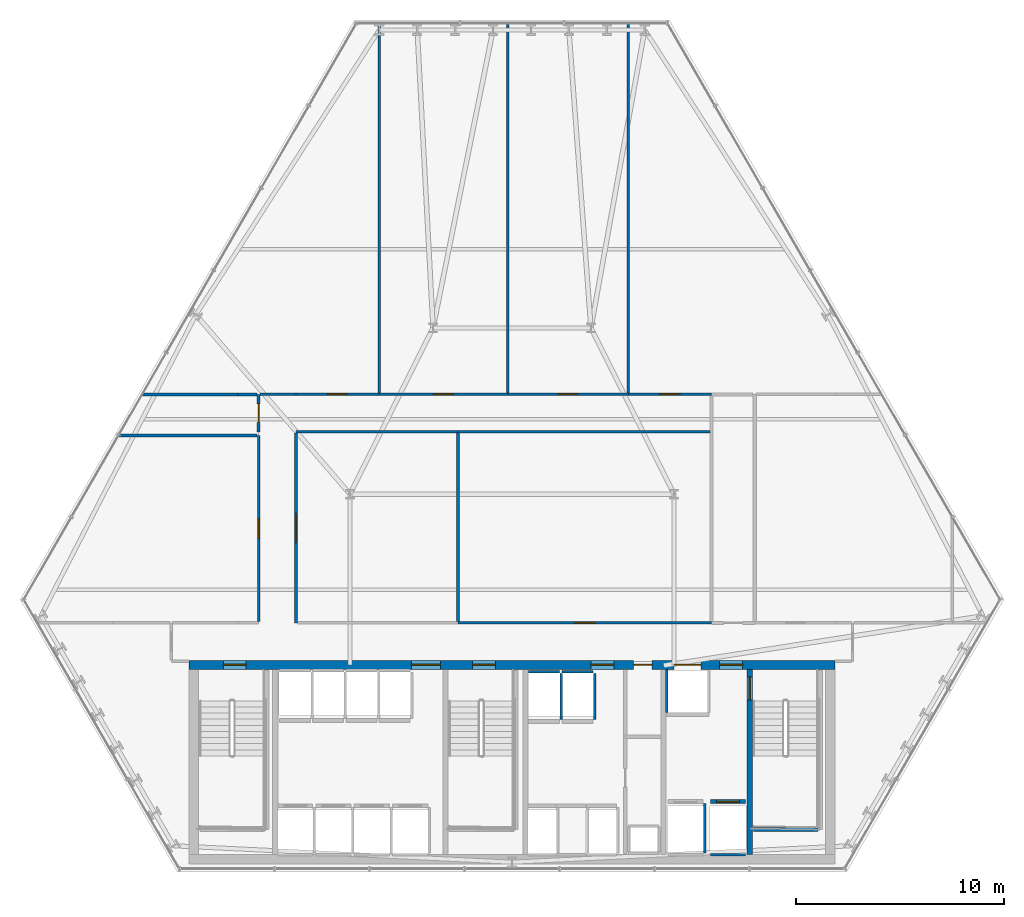
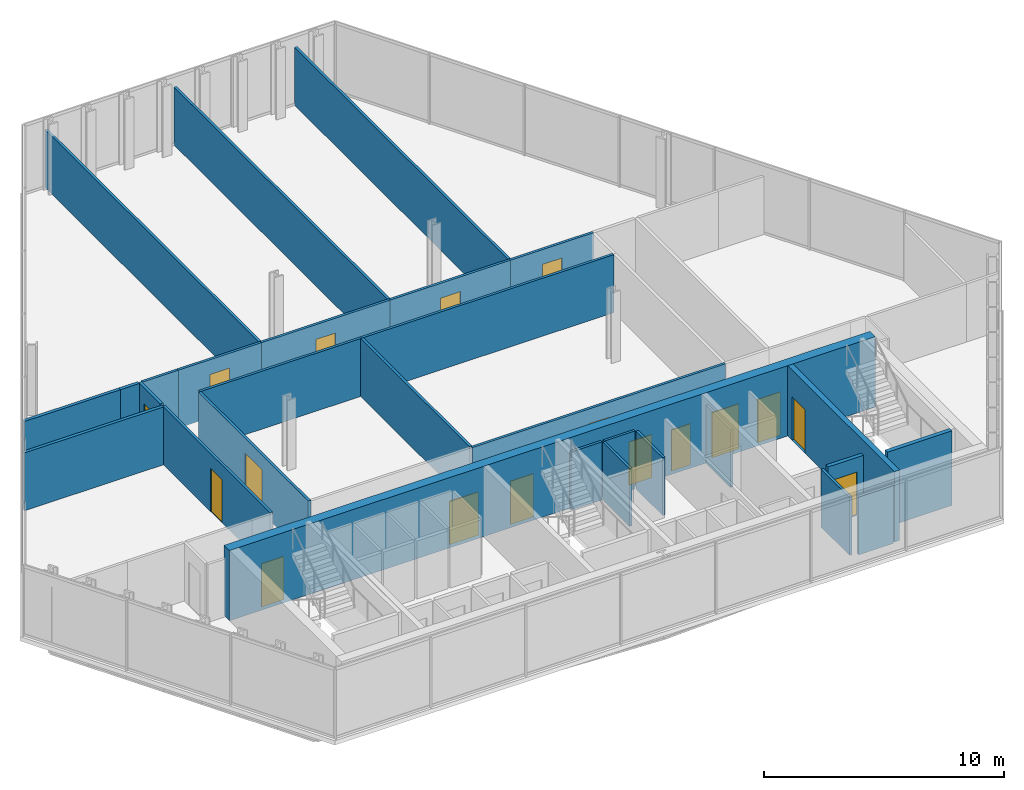
# One storey, part 28 of 32: 29 walls, 17 doors, 17 openings.
"""IFC4 building model written with IfcOpenShell, lengths in metres."""

from ifc_helpers import new_model, si_unit, direction, frame, frame_2d, origin, place, context, subcontext, project, spatial, rectangle, extrude, material, layer, layer_set, type_object, element, fill, save


model = new_model("IFC4")

# Units and contexts
model_context = context("Model", 3, precision=1e-05, world=origin(), true_north=direction((0.0, 1.0)))
body_context = subcontext(model_context, "Body", "Model", "MODEL_VIEW")
ifc_project = project(units=[si_unit("LENGTHUNIT", "METRE"), si_unit("AREAUNIT", "SQUARE_METRE"), si_unit("VOLUMEUNIT", "CUBIC_METRE"), si_unit("PLANEANGLEUNIT", "RADIAN"), si_unit("MASSUNIT", "GRAM", prefix="KILO")], contexts=[model_context])

# Site, building, storey
site_placement = place(None, origin())
site = spatial("IfcSite", under=ifc_project, at=site_placement, CompositionType="ELEMENT")
building_placement = place(site_placement, origin())
building = spatial("IfcBuilding", under=site, at=building_placement, Name="Ndaravel Arena Tower", CompositionType="ELEMENT")
storey_placement = place(building_placement, frame((0.0, 0.0, 74.0)))
storey = spatial("IfcBuildingStorey", under=building, at=storey_placement, Name="L16", CompositionType="ELEMENT", Elevation=74.0)

# Wall, opening, door
ifc_material_1 = material(Name="Concrete C60/75", Category="concrete")
ifc_layer_1 = layer(ifc_material_1, 0.25)
ifc_layer_set_1 = layer_set([ifc_layer_1], Name="Concrete C60/75")
wall_type_1 = type_object("IfcWallType", Name="WALL-CORE-250", PredefinedType="SOLIDWALL", material=ifc_layer_set_1)
wall_1_placement = place(storey_placement, frame((53.449951171875, 5.85009765625, 0.0), z_axis=(0.0, 0.0, 1.0), x_axis=(0.0, 1.0, 0.0)))
wall_1 = element("IfcWall", 1, at=wall_1_placement, inside=storey, type_object=wall_type_1, Name="L16 Core Web Shear Wall 5", PredefinedType="SOLIDWALL", context=body_context, shape_type="SweptSolid", body=[
    extrude(rectangle(XDim=8.89990234375, YDim=0.25, at=frame_2d((4.449951171875, 0.0))), origin(), (0.0, 0.0, 1.0), 3.580078125),
])
opening_1_placement = place(wall_1_placement, frame((7.449951171875, 0.0, 0.0)))
opening_1 = element("IfcOpeningElement", 2, at=opening_1_placement, cuts=wall_1, Name="Opening FD-01", PredefinedType="OPENING", context=body_context, shape_type="SweptSolid", body=[
    extrude(rectangle(XDim=1.10009765625, YDim=2.199951171875, at=frame_2d((0.550048828125, 1.10009765625))), frame((0.0, 0.125, 0.0), z_axis=(0.0, -1.0, 0.0), x_axis=(1.0, 0.0, 0.0)), (0.0, 0.0, 1.0), 0.25),
])
ifc_material_2 = material(Name="Steel S355", Category="steel")
door_type_1 = type_object("IfcDoorType", Name="DT-01-STAIR-1100", OperationType="SINGLE_SWING_LEFT", PredefinedType="DOOR", material=ifc_material_2)
door_1_placement = place(opening_1_placement, origin())
door_1 = element("IfcDoor", 3, at=door_1_placement, inside=storey, type_object=door_type_1, Name="L16 Firefighting Lobby to ST-3 Door", OperationType="SINGLE_SWING_LEFT", OverallHeight=2.199951171875, OverallWidth=1.10009765625, PredefinedType="DOOR", context=body_context, shape_type="SweptSolid", body=[
    extrude(rectangle(XDim=1.10009765625, YDim=2.199951171875, at=frame_2d((0.550048828125, 1.10009765625))), frame((0.0, 0.02490234375, 0.0), z_axis=(0.0, -1.0, 0.0), x_axis=(1.0, 0.0, 0.0)), (0.0, 0.0, 1.0), 0.050048828125),
])
fill(opening_1, door_1)

# Wall, openings, doors
ifc_material_3 = material(Name="Concrete C60/75", Category="concrete")
ifc_layer_2 = layer(ifc_material_3, 0.449951171875)
ifc_layer_set_2 = layer_set([ifc_layer_2], Name="Concrete C60/75")
wall_type_2 = type_object("IfcWallType", Name="WALL-CORE-450", PredefinedType="SOLIDWALL", material=ifc_layer_set_2)
wall_2_placement = place(storey_placement, frame((26.449951171875, 14.97509765625, 0.0), z_axis=(0.0, 0.0, 1.0), x_axis=(1.0, 0.0, 0.0)))
wall_2 = element("IfcWall", 4, at=wall_2_placement, inside=storey, type_object=wall_type_2, Name="L16 Core North Shear Wall", PredefinedType="SOLIDWALL", context=body_context, shape_type="SweptSolid", body=[
    extrude(rectangle(XDim=31.10009765625, YDim=0.449951171875, at=frame_2d((15.550048828125, 0.0))), origin(), (0.0, 0.0, 1.0), 3.580078125),
])
opening_2_placement = place(wall_2_placement, frame((1.64990234375, 0.0, 0.0)))
opening_2 = element("IfcOpeningElement", 5, at=opening_2_placement, cuts=wall_2, Name="Opening FD-01", PredefinedType="OPENING", context=body_context, shape_type="SweptSolid", body=[
    extrude(rectangle(XDim=1.10009765625, YDim=2.199951171875, at=frame_2d((0.550048828125, 1.10009765625))), frame((0.0, 0.22509765625, 0.0), z_axis=(0.0, -1.0, 0.0), x_axis=(1.0, 0.0, 0.0)), (0.0, 0.0, 1.0), 0.449951171875),
])
opening_3_placement = place(wall_2_placement, frame((13.64990234375, 0.0, 0.0)))
opening_3 = element("IfcOpeningElement", 6, at=opening_3_placement, cuts=wall_2, Name="Opening FD-01", PredefinedType="OPENING", context=body_context, shape_type="SweptSolid", body=[
    extrude(rectangle(XDim=1.10009765625, YDim=2.199951171875, at=frame_2d((0.550048828125, 1.10009765625))), frame((0.0, 0.22509765625, 0.0), z_axis=(0.0, -1.0, 0.0), x_axis=(1.0, 0.0, 0.0)), (0.0, 0.0, 1.0), 0.449951171875),
])
opening_4_placement = place(wall_2_placement, frame((25.550048828125, 0.0, 0.0)))
opening_4 = element("IfcOpeningElement", 7, at=opening_4_placement, cuts=wall_2, Name="Opening FD-01", PredefinedType="OPENING", context=body_context, shape_type="SweptSolid", body=[
    extrude(rectangle(XDim=1.10009765625, YDim=2.199951171875, at=frame_2d((0.550048828125, 1.10009765625))), frame((0.0, 0.22509765625, 0.0), z_axis=(0.0, -1.0, 0.0), x_axis=(1.0, 0.0, 0.0)), (0.0, 0.0, 1.0), 0.449951171875),
])
opening_5_placement = place(wall_2_placement, frame((10.699951171875, 0.0, 0.0)))
opening_5 = element("IfcOpeningElement", 8, at=opening_5_placement, cuts=wall_2, Name="Opening ID-02", PredefinedType="OPENING", context=body_context, shape_type="SweptSolid", body=[
    extrude(rectangle(XDim=1.39990234375, YDim=2.199951171875, at=frame_2d((0.699951171875, 1.10009765625))), frame((0.0, 0.22509765625, 0.0), z_axis=(0.0, -1.0, 0.0), x_axis=(1.0, 0.0, 0.0)), (0.0, 0.0, 1.0), 0.449951171875),
])
opening_6_placement = place(wall_2_placement, frame((19.35009765625, 0.0, 0.0)))
opening_6 = element("IfcOpeningElement", 9, at=opening_6_placement, cuts=wall_2, Name="Opening FD-01", PredefinedType="OPENING", context=body_context, shape_type="SweptSolid", body=[
    extrude(rectangle(XDim=1.10009765625, YDim=2.199951171875, at=frame_2d((0.550048828125, 1.10009765625))), frame((0.0, 0.22509765625, 0.0), z_axis=(0.0, -1.0, 0.0), x_axis=(1.0, 0.0, 0.0)), (0.0, 0.0, 1.0), 0.449951171875),
])
opening_7_placement = place(wall_2_placement, frame((21.39990234375, 0.0, 0.0)))
opening_7 = element("IfcOpeningElement", 10, at=opening_7_placement, cuts=wall_2, Name="Opening RD-01", PredefinedType="OPENING", context=body_context, shape_type="SweptSolid", body=[
    extrude(rectangle(XDim=0.89990234375, YDim=2.10009765625, at=frame_2d((0.449951171875, 1.050048828125))), frame((0.0, 0.22509765625, 0.0), z_axis=(0.0, -1.0, 0.0), x_axis=(1.0, 0.0, 0.0)), (0.0, 0.0, 1.0), 0.449951171875),
])
opening_8_placement = place(wall_2_placement, frame((23.35009765625, 0.0, 0.0)))
opening_8 = element("IfcOpeningElement", 11, at=opening_8_placement, cuts=wall_2, Name="Opening LD-02", PredefinedType="OPENING", context=body_context, shape_type="SweptSolid", body=[
    extrude(rectangle(XDim=1.300048828125, YDim=2.300048828125, at=frame_2d((0.64990234375, 1.14990234375))), frame((0.0, 0.22509765625, 0.0), z_axis=(0.0, -1.0, 0.0), x_axis=(1.0, 0.0, 0.0)), (0.0, 0.0, 1.0), 0.449951171875),
])
door_2_placement = place(opening_2_placement, origin())
door_2 = element("IfcDoor", 12, at=door_2_placement, inside=storey, type_object=door_type_1, Name="L16 Exit Stair ST-1 Door", OperationType="SINGLE_SWING_LEFT", OverallHeight=2.199951171875, OverallWidth=1.10009765625, PredefinedType="DOOR", context=body_context, shape_type="SweptSolid", body=[
    extrude(rectangle(XDim=1.10009765625, YDim=2.199951171875, at=frame_2d((0.550048828125, 1.10009765625))), frame((0.0, 0.02490234375, 0.0), z_axis=(0.0, -1.0, 0.0), x_axis=(1.0, 0.0, 0.0)), (0.0, 0.0, 1.0), 0.050048828125),
])
fill(opening_2, door_2)
door_3_placement = place(opening_3_placement, origin())
door_3 = element("IfcDoor", 13, at=door_3_placement, inside=storey, type_object=door_type_1, Name="L16 Exit Stair ST-2 Door", OperationType="SINGLE_SWING_RIGHT", OverallHeight=2.199951171875, OverallWidth=1.10009765625, PredefinedType="DOOR", context=body_context, shape_type="SweptSolid", body=[
    extrude(rectangle(XDim=1.10009765625, YDim=2.199951171875, at=frame_2d((0.550048828125, 1.10009765625))), frame((0.0, 0.02490234375, 0.0), z_axis=(0.0, -1.0, 0.0), x_axis=(1.0, 0.0, 0.0)), (0.0, 0.0, 1.0), 0.050048828125),
])
fill(opening_3, door_3)
door_4_placement = place(opening_4_placement, origin())
door_4 = element("IfcDoor", 14, at=door_4_placement, inside=storey, type_object=door_type_1, Name="L16 Firefighting Lift Lobby Door", OperationType="SINGLE_SWING_RIGHT", OverallHeight=2.199951171875, OverallWidth=1.10009765625, PredefinedType="DOOR", context=body_context, shape_type="SweptSolid", body=[
    extrude(rectangle(XDim=1.10009765625, YDim=2.199951171875, at=frame_2d((0.550048828125, 1.10009765625))), frame((0.0, 0.02490234375, 0.0), z_axis=(0.0, -1.0, 0.0), x_axis=(1.0, 0.0, 0.0)), (0.0, 0.0, 1.0), 0.050048828125),
])
fill(opening_4, door_4)
door_5_placement = place(opening_6_placement, origin())
door_5 = element("IfcDoor", 15, at=door_5_placement, inside=storey, type_object=door_type_1, Name="L16 Express Lift Lobby Entry Door", OperationType="SINGLE_SWING_LEFT", OverallHeight=2.199951171875, OverallWidth=1.10009765625, PredefinedType="DOOR", context=body_context, shape_type="SweptSolid", body=[
    extrude(rectangle(XDim=1.10009765625, YDim=2.199951171875, at=frame_2d((0.550048828125, 1.10009765625))), frame((0.0, 0.02490234375, 0.0), z_axis=(0.0, -1.0, 0.0), x_axis=(1.0, 0.0, 0.0)), (0.0, 0.0, 1.0), 0.050048828125),
])
fill(opening_6, door_5)
ifc_material_4 = material(Name="Timber", Category="wood")
door_type_2 = type_object("IfcDoorType", Name="DT-04-SUITE-1400", OperationType="DOUBLE_DOOR_SINGLE_SWING", PredefinedType="DOOR", material=ifc_material_4)
door_6_placement = place(opening_5_placement, origin())
door_6 = element("IfcDoor", 16, at=door_6_placement, inside=storey, type_object=door_type_2, Name="L16 West Lift Lobby Entry Door", OperationType="DOUBLE_DOOR_SINGLE_SWING", OverallHeight=2.199951171875, OverallWidth=1.39990234375, PredefinedType="DOOR", context=body_context, shape_type="SweptSolid", body=[
    extrude(rectangle(XDim=1.39990234375, YDim=2.199951171875, at=frame_2d((0.699951171875, 1.10009765625))), frame((0.0, 0.02490234375, 0.0), z_axis=(0.0, -1.0, 0.0), x_axis=(1.0, 0.0, 0.0)), (0.0, 0.0, 1.0), 0.050048828125),
])
fill(opening_5, door_6)
ifc_material_5 = material(Name="Steel S355", Category="steel")
door_type_3 = type_object("IfcDoorType", Name="DT-07-SVLIFT-1300", OperationType="DOUBLE_DOOR_SLIDING", PredefinedType="DOOR", material=ifc_material_5)
door_7_placement = place(opening_8_placement, origin())
door_7 = element("IfcDoor", 17, at=door_7_placement, inside=storey, type_object=door_type_3, Name="L16 Lift SVL-1 Sliding Landing Door", OperationType="DOUBLE_DOOR_SLIDING", OverallHeight=2.300048828125, OverallWidth=1.300048828125, PredefinedType="DOOR", context=body_context, shape_type="SweptSolid", body=[
    extrude(rectangle(XDim=1.300048828125, YDim=2.300048828125, at=frame_2d((0.64990234375, 1.14990234375))), frame((0.0, 0.02490234375, 0.0), z_axis=(0.0, -1.0, 0.0), x_axis=(1.0, 0.0, 0.0)), (0.0, 0.0, 1.0), 0.050048828125),
])
fill(opening_8, door_7)
ifc_material_6 = material(Name="Steel S355", Category="steel")
door_type_4 = type_object("IfcDoorType", Name="DT-08-RISER-900", OperationType="SINGLE_SWING_LEFT", PredefinedType="DOOR", material=ifc_material_6)
door_8_placement = place(opening_7_placement, origin())
door_8 = element("IfcDoor", 18, at=door_8_placement, inside=storey, type_object=door_type_4, Name="L16 Core Service Riser North Door", OperationType="SINGLE_SWING_LEFT", OverallHeight=2.10009765625, OverallWidth=0.89990234375, PredefinedType="DOOR", context=body_context, shape_type="SweptSolid", body=[
    extrude(rectangle(XDim=0.89990234375, YDim=2.10009765625, at=frame_2d((0.449951171875, 1.050048828125))), frame((0.0, 0.02490234375, 0.0), z_axis=(0.0, -1.0, 0.0), x_axis=(1.0, 0.0, 0.0)), (0.0, 0.0, 1.0), 0.050048828125),
])
fill(opening_7, door_8)

# Wall, opening, door
ifc_material_7 = material(Name="Gypsum", Category="gypsum")
ifc_layer_3 = layer(ifc_material_7, 0.125)
ifc_layer_set_3 = layer_set([ifc_layer_3], Name="Gypsum")
wall_type_3 = type_object("IfcWallType", Name="WALL-PART-125", PredefinedType="PARTITIONING", material=ifc_layer_set_3)
wall_3_placement = place(storey_placement, frame((29.800048828125, 17.06494140625, 0.0), z_axis=(0.0, 0.0, 1.0), x_axis=(0.0, 1.0, 0.0)))
wall_3 = element("IfcWall", 19, at=wall_3_placement, inside=storey, type_object=wall_type_3, Name="L16 Interior Partition 007", PredefinedType="PARTITIONING", context=body_context, shape_type="SweptSolid", body=[
    extrude(rectangle(XDim=8.955078125, YDim=0.125, at=frame_2d((4.4775390625, 0.0))), origin(), (0.0, 0.0, 1.0), 2.949951171875),
])
opening_9_placement = place(wall_3_placement, frame((4.00244140625, 0.0, 0.0)))
opening_9 = element("IfcOpeningElement", 20, at=opening_9_placement, cuts=wall_3, Name="Opening ID-01", PredefinedType="OPENING", context=body_context, shape_type="SweptSolid", body=[
    extrude(rectangle(XDim=0.949951171875, YDim=2.199951171875, at=frame_2d((0.47509765625, 1.10009765625))), frame((0.0, 0.0625, 0.0), z_axis=(0.0, -1.0, 0.0), x_axis=(1.0, 0.0, 0.0)), (0.0, 0.0, 1.0), 0.125),
])
ifc_material_8 = material(Name="Timber", Category="wood")
door_type_5 = type_object("IfcDoorType", Name="DT-03-OFFICE-950", OperationType="SINGLE_SWING_LEFT", PredefinedType="DOOR", material=ifc_material_8)
door_9_placement = place(opening_9_placement, origin())
door_9 = element("IfcDoor", 21, at=door_9_placement, inside=storey, type_object=door_type_5, Name="L16 Staff Wellness Clinic Door", OperationType="SINGLE_SWING_LEFT", OverallHeight=2.199951171875, OverallWidth=0.949951171875, PredefinedType="DOOR", context=body_context, shape_type="SweptSolid", body=[
    extrude(rectangle(XDim=0.949951171875, YDim=2.199951171875, at=frame_2d((0.47509765625, 1.10009765625))), frame((0.0, 0.02490234375, 0.0), z_axis=(0.0, -1.0, 0.0), x_axis=(1.0, 0.0, 0.0)), (0.0, 0.0, 1.0), 0.050048828125),
])
fill(opening_9, door_9)

# Wall
wall_4_placement = place(storey_placement, frame((29.864990234375, 28.0, 0.0), z_axis=(0.0, 0.0, 1.0), x_axis=(1.0, 0.0, 0.0)))
element("IfcWall", 22, at=wall_4_placement, inside=storey, type_object=wall_type_3, Name="L16 Interior Partition 009", PredefinedType="PARTITIONING", context=body_context, shape_type="SweptSolid", body=[
    extrude(rectangle(XDim=1.735107421875, YDim=0.125, at=frame_2d((0.86767578125, 0.0))), origin(), (0.0, 0.0, 1.0), 2.949951171875),
])

# Wall, opening, door
wall_5_placement = place(storey_placement, frame((31.60009765625, 28.0, 0.0), z_axis=(0.0, 0.0, 1.0), x_axis=(1.0, 0.0, 0.0)))
wall_5 = element("IfcWall", 23, at=wall_5_placement, inside=storey, type_object=wall_type_3, Name="L16 Interior Partition 010", PredefinedType="PARTITIONING", context=body_context, shape_type="SweptSolid", body=[
    extrude(rectangle(XDim=4.0, YDim=0.125, at=frame_2d((2.0, 0.0))), origin(), (0.0, 0.0, 1.0), 2.949951171875),
])
opening_10_placement = place(wall_5_placement, frame((1.52490234375, 0.0, 0.0)))
opening_10 = element("IfcOpeningElement", 24, at=opening_10_placement, cuts=wall_5, Name="Opening ID-01", PredefinedType="OPENING", context=body_context, shape_type="SweptSolid", body=[
    extrude(rectangle(XDim=0.949951171875, YDim=2.199951171875, at=frame_2d((0.47509765625, 1.10009765625))), frame((0.0, 0.0625, 0.0), z_axis=(0.0, -1.0, 0.0), x_axis=(1.0, 0.0, 0.0)), (0.0, 0.0, 1.0), 0.125),
])
door_10_placement = place(opening_10_placement, origin())
door_10 = element("IfcDoor", 25, at=door_10_placement, inside=storey, type_object=door_type_5, Name="L16 Wellness Fitness Gym 2 Door", OperationType="SINGLE_SWING_LEFT", OverallHeight=2.199951171875, OverallWidth=0.949951171875, PredefinedType="DOOR", context=body_context, shape_type="SweptSolid", body=[
    extrude(rectangle(XDim=0.949951171875, YDim=2.199951171875, at=frame_2d((0.47509765625, 1.10009765625))), frame((0.0, 0.02490234375, 0.0), z_axis=(0.0, -1.0, 0.0), x_axis=(1.0, 0.0, 0.0)), (0.0, 0.0, 1.0), 0.050048828125),
])
fill(opening_10, door_10)

wall_6_placement = place(storey_placement, frame((35.60009765625, 28.0, 0.0), z_axis=(0.0, 0.0, 1.0), x_axis=(1.0, 0.0, 0.0)))
wall_6 = element("IfcWall", 26, at=wall_6_placement, inside=storey, type_object=wall_type_3, Name="L16 Interior Partition 011", PredefinedType="PARTITIONING", context=body_context, shape_type="SweptSolid", body=[
    extrude(rectangle(XDim=6.199951171875, YDim=0.125, at=frame_2d((3.10009765625, 0.0))), origin(), (0.0, 0.0, 1.0), 2.949951171875),
])
opening_11_placement = place(wall_6_placement, frame((2.625, 0.0, 0.0)))
opening_11 = element("IfcOpeningElement", 27, at=opening_11_placement, cuts=wall_6, Name="Opening ID-01", PredefinedType="OPENING", context=body_context, shape_type="SweptSolid", body=[
    extrude(rectangle(XDim=0.949951171875, YDim=2.199951171875, at=frame_2d((0.47509765625, 1.10009765625))), frame((0.0, 0.0625, 0.0), z_axis=(0.0, -1.0, 0.0), x_axis=(1.0, 0.0, 0.0)), (0.0, 0.0, 1.0), 0.125),
])
door_11_placement = place(opening_11_placement, origin())
door_11 = element("IfcDoor", 28, at=door_11_placement, inside=storey, type_object=door_type_5, Name="L16 Executive Corner Office 4 Door", OperationType="SINGLE_SWING_LEFT", OverallHeight=2.199951171875, OverallWidth=0.949951171875, PredefinedType="DOOR", context=body_context, shape_type="SweptSolid", body=[
    extrude(rectangle(XDim=0.949951171875, YDim=2.199951171875, at=frame_2d((0.47509765625, 1.10009765625))), frame((0.0, 0.02490234375, 0.0), z_axis=(0.0, -1.0, 0.0), x_axis=(1.0, 0.0, 0.0)), (0.0, 0.0, 1.0), 0.050048828125),
])
fill(opening_11, door_11)

wall_7_placement = place(storey_placement, frame((41.800048828125, 28.0, 0.0), z_axis=(0.0, 0.0, 1.0), x_axis=(1.0, 0.0, 0.0)))
wall_7 = element("IfcWall", 29, at=wall_7_placement, inside=storey, type_object=wall_type_3, Name="L16 Interior Partition 012", PredefinedType="PARTITIONING", context=body_context, shape_type="SweptSolid", body=[
    extrude(rectangle(XDim=5.800048828125, YDim=0.125, at=frame_2d((2.89990234375, 0.0))), origin(), (0.0, 0.0, 1.0), 2.949951171875),
])
opening_12_placement = place(wall_7_placement, frame((2.425048828125, 0.0, 0.0)))
opening_12 = element("IfcOpeningElement", 30, at=opening_12_placement, cuts=wall_7, Name="Opening ID-01", PredefinedType="OPENING", context=body_context, shape_type="SweptSolid", body=[
    extrude(rectangle(XDim=0.949951171875, YDim=2.199951171875, at=frame_2d((0.47509765625, 1.10009765625))), frame((0.0, 0.0625, 0.0), z_axis=(0.0, -1.0, 0.0), x_axis=(1.0, 0.0, 0.0)), (0.0, 0.0, 1.0), 0.125),
])
door_12_placement = place(opening_12_placement, origin())
door_12 = element("IfcDoor", 31, at=door_12_placement, inside=storey, type_object=door_type_5, Name="L16 Design Workshop 4 Door", OperationType="SINGLE_SWING_RIGHT", OverallHeight=2.199951171875, OverallWidth=0.949951171875, PredefinedType="DOOR", context=body_context, shape_type="SweptSolid", body=[
    extrude(rectangle(XDim=0.949951171875, YDim=2.199951171875, at=frame_2d((0.47509765625, 1.10009765625))), frame((0.0, 0.02490234375, 0.0), z_axis=(0.0, -1.0, 0.0), x_axis=(1.0, 0.0, 0.0)), (0.0, 0.0, 1.0), 0.050048828125),
])
fill(opening_12, door_12)

wall_8_placement = place(storey_placement, frame((47.60009765625, 28.0, 0.0), z_axis=(0.0, 0.0, 1.0), x_axis=(1.0, 0.0, 0.0)))
wall_8 = element("IfcWall", 32, at=wall_8_placement, inside=storey, type_object=wall_type_3, Name="L16 Interior Partition 013", PredefinedType="PARTITIONING", context=body_context, shape_type="SweptSolid", body=[
    extrude(rectangle(XDim=4.0, YDim=0.125, at=frame_2d((2.0, 0.0))), origin(), (0.0, 0.0, 1.0), 2.949951171875),
])
opening_13_placement = place(wall_8_placement, frame((1.52490234375, 0.0, 0.0)))
opening_13 = element("IfcOpeningElement", 33, at=opening_13_placement, cuts=wall_8, Name="Opening ID-01", PredefinedType="OPENING", context=body_context, shape_type="SweptSolid", body=[
    extrude(rectangle(XDim=0.949951171875, YDim=2.199951171875, at=frame_2d((0.47509765625, 1.10009765625))), frame((0.0, 0.0625, 0.0), z_axis=(0.0, -1.0, 0.0), x_axis=(1.0, 0.0, 0.0)), (0.0, 0.0, 1.0), 0.125),
])
door_13_placement = place(opening_13_placement, origin())
door_13 = element("IfcDoor", 34, at=door_13_placement, inside=storey, type_object=door_type_5, Name="L16 Media Cinema Room 3 Door", OperationType="SINGLE_SWING_RIGHT", OverallHeight=2.199951171875, OverallWidth=0.949951171875, PredefinedType="DOOR", context=body_context, shape_type="SweptSolid", body=[
    extrude(rectangle(XDim=0.949951171875, YDim=2.199951171875, at=frame_2d((0.47509765625, 1.10009765625))), frame((0.0, 0.02490234375, 0.0), z_axis=(0.0, -1.0, 0.0), x_axis=(1.0, 0.0, 0.0)), (0.0, 0.0, 1.0), 0.050048828125),
])
fill(opening_13, door_13)

# Walls
wall_9_placement = place(storey_placement, frame((51.534912109375, 26.199951171875, 0.0), z_axis=(0.0, 0.0, 1.0), x_axis=(-1.0, 0.0, 0.0)))
element("IfcWall", 35, at=wall_9_placement, inside=storey, type_object=wall_type_3, Name="L16 Interior Partition 015", PredefinedType="PARTITIONING", context=body_context, shape_type="SweptSolid", body=[
    extrude(rectangle(XDim=12.135009765625, YDim=0.125, at=frame_2d((6.0673828125, 0.0))), origin(), (0.0, 0.0, 1.0), 2.949951171875),
])
wall_10_placement = place(storey_placement, frame((39.39990234375, 26.199951171875, 0.0), z_axis=(0.0, 0.0, 1.0), x_axis=(-1.0, 0.0, 0.0)))
element("IfcWall", 36, at=wall_10_placement, inside=storey, type_object=wall_type_3, Name="L16 Interior Partition 016", PredefinedType="PARTITIONING", context=body_context, shape_type="SweptSolid", body=[
    extrude(rectangle(XDim=7.7998046875, YDim=0.125, at=frame_2d((3.89990234375, 0.0))), origin(), (0.0, 0.0, 1.0), 2.949951171875),
])

# Wall, opening, door
wall_11_placement = place(storey_placement, frame((31.60009765625, 26.135009765625, 0.0), z_axis=(0.0, 0.0, 1.0), x_axis=(0.0, -1.0, 0.0)))
wall_11 = element("IfcWall", 37, at=wall_11_placement, inside=storey, type_object=wall_type_3, Name="L16 Interior Partition 017", PredefinedType="PARTITIONING", context=body_context, shape_type="SweptSolid", body=[
    extrude(rectangle(XDim=9.135009765625, YDim=0.125, at=frame_2d((4.5673828125, 0.0))), origin(), (0.0, 0.0, 1.0), 2.949951171875),
])
opening_14_placement = place(wall_11_placement, frame((3.867431640625, 0.0, 0.0)))
opening_14 = element("IfcOpeningElement", 38, at=opening_14_placement, cuts=wall_11, Name="Opening ID-02", PredefinedType="OPENING", context=body_context, shape_type="SweptSolid", body=[
    extrude(rectangle(XDim=1.39990234375, YDim=2.199951171875, at=frame_2d((0.699951171875, 1.10009765625))), frame((0.0, 0.0625, 0.0), z_axis=(0.0, -1.0, 0.0), x_axis=(1.0, 0.0, 0.0)), (0.0, 0.0, 1.0), 0.125),
])
door_14_placement = place(opening_14_placement, origin())
door_14 = element("IfcDoor", 39, at=door_14_placement, inside=storey, type_object=door_type_2, Name="L16 Executive Boardroom Door", OperationType="SINGLE_SWING_RIGHT", OverallHeight=2.199951171875, OverallWidth=1.39990234375, PredefinedType="DOOR", context=body_context, shape_type="SweptSolid", body=[
    extrude(rectangle(XDim=1.39990234375, YDim=2.199951171875, at=frame_2d((0.699951171875, 1.10009765625))), frame((0.0, 0.02490234375, 0.0), z_axis=(0.0, -1.0, 0.0), x_axis=(1.0, 0.0, 0.0)), (0.0, 0.0, 1.0), 0.050048828125),
])
fill(opening_14, door_14)

wall_12_placement = place(storey_placement, frame((39.39990234375, 17.0, 0.0), z_axis=(0.0, 0.0, 1.0), x_axis=(1.0, 0.0, 0.0)))
wall_12 = element("IfcWall", 40, at=wall_12_placement, inside=storey, type_object=wall_type_3, Name="L16 Interior Partition 019", PredefinedType="PARTITIONING", context=body_context, shape_type="SweptSolid", body=[
    extrude(rectangle(XDim=12.2001953125, YDim=0.125, at=frame_2d((6.10009765625, 0.0))), origin(), (0.0, 0.0, 1.0), 2.949951171875),
])
opening_15_placement = place(wall_12_placement, frame((5.625, 0.0, 0.0)))
opening_15 = element("IfcOpeningElement", 41, at=opening_15_placement, cuts=wall_12, Name="Opening ID-01", PredefinedType="OPENING", context=body_context, shape_type="SweptSolid", body=[
    extrude(rectangle(XDim=0.949951171875, YDim=2.199951171875, at=frame_2d((0.47509765625, 1.10009765625))), frame((0.0, 0.0625, 0.0), z_axis=(0.0, -1.0, 0.0), x_axis=(1.0, 0.0, 0.0)), (0.0, 0.0, 1.0), 0.125),
])
door_15_placement = place(opening_15_placement, origin())
door_15 = element("IfcDoor", 42, at=door_15_placement, inside=storey, type_object=door_type_5, Name="L16 Cellular Partner Office 2 Door", OperationType="SINGLE_SWING_LEFT", OverallHeight=2.199951171875, OverallWidth=0.949951171875, PredefinedType="DOOR", context=body_context, shape_type="SweptSolid", body=[
    extrude(rectangle(XDim=0.949951171875, YDim=2.199951171875, at=frame_2d((0.47509765625, 1.10009765625))), frame((0.0, 0.02490234375, 0.0), z_axis=(0.0, -1.0, 0.0), x_axis=(1.0, 0.0, 0.0)), (0.0, 0.0, 1.0), 0.050048828125),
])
fill(opening_15, door_15)

# Walls
wall_13_placement = place(storey_placement, frame((39.39990234375, 26.135009765625, 0.0), z_axis=(0.0, 0.0, 1.0), x_axis=(0.0, -1.0, 0.0)))
element("IfcWall", 43, at=wall_13_placement, inside=storey, type_object=wall_type_3, Name="L16 Interior Partition 028", PredefinedType="PARTITIONING", context=body_context, shape_type="SweptSolid", body=[
    extrude(rectangle(XDim=9.070068359375, YDim=0.125, at=frame_2d((4.53515625, 0.0))), origin(), (0.0, 0.0, 1.0), 2.949951171875),
])
for number, where, z_axis, x_axis, name in (
    (44, (35.60009765625, 45.865478515625, 0.0), (0.0, 0.0, 1.0), (0.0, -1.0, 0.0), "L16 Interior Partition 037"),
    (45, (47.60009765625, 28.06494140625, 0.0), (0.0, 0.0, 1.0), (0.0, 1.0, 0.0), "L16 Interior Partition 038"),
    (46, (41.800048828125, 45.865478515625, 0.0), (0.0, 0.0, 1.0), (0.0, -1.0, 0.0), "L16 Interior Partition 039"),
):
    element("IfcWall", number, at=place(storey_placement, frame(where, z_axis=z_axis, x_axis=x_axis)), inside=storey, type_object=wall_type_3, Name=name, PredefinedType="PARTITIONING", context=body_context, shape_type="SweptSolid", body=[
        extrude(rectangle(XDim=17.800537109375, YDim=0.125, at=frame_2d((8.900390625, 0.0))), origin(), (0.0, 0.0, 1.0), 2.949951171875),
    ])
ifc_material_9 = material(Name="Concrete C40/50", Category="concrete")
ifc_layer_4 = layer(ifc_material_9, 0.1201171875)
ifc_layer_set_4 = layer_set([ifc_layer_4], Name="Concrete C40/50")
wall_type_4 = type_object("IfcWallType", Name="WALL-SHAFT-120", PredefinedType="SOLIDWALL", material=ifc_layer_set_4)
wall_14_placement = place(storey_placement, frame((42.804931640625, 14.659912109375, 0.0), z_axis=(0.0, 0.0, 1.0), x_axis=(1.0, 0.0, 0.0)))
element("IfcWall", 47, at=wall_14_placement, inside=storey, type_object=wall_type_4, Name="L16 PL-OBS1 Shaft Rear Wall", PredefinedType="SOLIDWALL", context=body_context, shape_type="SweptSolid", body=[
    extrude(rectangle(XDim=1.489990234375, YDim=0.1201171875, at=frame_2d((0.7451171875, 0.0))), origin(), (0.0, 0.0, 1.0), 2.949951171875),
])
wall_15_placement = place(storey_placement, frame((44.375, 12.340087890625, 0.0), z_axis=(0.0, 0.0, 1.0), x_axis=(0.0, 1.0, 0.0)))
element("IfcWall", 48, at=wall_15_placement, inside=storey, type_object=wall_type_4, Name="L16 PL-OBS1 Shaft Side R Wall", PredefinedType="SOLIDWALL", context=body_context, shape_type="SweptSolid", body=[
    extrude(rectangle(XDim=2.22998046875, YDim=0.1201171875, at=frame_2d((1.114990234375, 0.0))), origin(), (0.0, 0.0, 1.0), 2.949951171875),
])
wall_16_placement = place(storey_placement, frame((44.405029296875, 14.659912109375, 0.0), z_axis=(0.0, 0.0, 1.0), x_axis=(1.0, 0.0, 0.0)))
element("IfcWall", 49, at=wall_16_placement, inside=storey, type_object=wall_type_4, Name="L16 PL-OBS2 Shaft Rear Wall", PredefinedType="SOLIDWALL", context=body_context, shape_type="SweptSolid", body=[
    extrude(rectangle(XDim=1.489990234375, YDim=0.1201171875, at=frame_2d((0.7451171875, 0.0))), origin(), (0.0, 0.0, 1.0), 2.949951171875),
])
wall_17_placement = place(storey_placement, frame((45.97509765625, 12.340087890625, 0.0), z_axis=(0.0, 0.0, 1.0), x_axis=(0.0, 1.0, 0.0)))
element("IfcWall", 50, at=wall_17_placement, inside=storey, type_object=wall_type_4, Name="L16 PL-OBS2 Shaft Side R Wall", PredefinedType="SOLIDWALL", context=body_context, shape_type="SweptSolid", body=[
    extrude(rectangle(XDim=2.22998046875, YDim=0.1201171875, at=frame_2d((1.114990234375, 0.0))), origin(), (0.0, 0.0, 1.0), 2.949951171875),
])
wall_18_placement = place(storey_placement, frame((51.27490234375, 5.929931640625, 0.0), z_axis=(0.0, 0.0, 1.0), x_axis=(0.0, 1.0, 0.0)))
element("IfcWall", 51, at=wall_18_placement, inside=storey, type_object=wall_type_4, Name="L16 FFL-1 Shaft Side R Wall", PredefinedType="SOLIDWALL", context=body_context, shape_type="SweptSolid", body=[
    extrude(rectangle(XDim=2.380126953125, YDim=0.1201171875, at=frame_2d((1.18994140625, 0.0))), origin(), (0.0, 0.0, 1.0), 2.949951171875),
])
wall_19_placement = place(storey_placement, frame((51.554931640625, 5.840087890625, 0.0), z_axis=(0.0, 0.0, 1.0), x_axis=(1.0, 0.0, 0.0)))
element("IfcWall", 52, at=wall_19_placement, inside=storey, type_object=wall_type_4, Name="L16 FFL-2 Shaft Rear Wall", PredefinedType="SOLIDWALL", context=body_context, shape_type="SweptSolid", body=[
    extrude(rectangle(XDim=1.690185546875, YDim=0.1201171875, at=frame_2d((0.84521484375, 0.0))), origin(), (0.0, 0.0, 1.0), 2.949951171875),
])
wall_20_placement = place(storey_placement, frame((49.43994140625, 12.68994140625, 0.0), z_axis=(0.0, 0.0, 1.0), x_axis=(0.0, 1.0, 0.0)))
element("IfcWall", 53, at=wall_20_placement, inside=storey, type_object=wall_type_4, Name="L16 SVL-1 Shaft W Wall", PredefinedType="SOLIDWALL", context=body_context, shape_type="SweptSolid", body=[
    extrude(rectangle(XDim=2.070068359375, YDim=0.1201171875, at=frame_2d((1.03515625, 0.0))), origin(), (0.0, 0.0, 1.0), 2.949951171875),
])
ifc_material_10 = material(Name="Concrete C40/50", Category="concrete")
ifc_layer_5 = layer(ifc_material_10, 0.199951171875)
ifc_layer_set_5 = layer_set([ifc_layer_5], Name="Concrete C40/50")
wall_type_5 = type_object("IfcWallType", Name="WALL-SHAFT-200", PredefinedType="SOLIDWALL", material=ifc_layer_set_5)
wall_21_placement = place(storey_placement, frame((53.6201171875, 7.050048828125, 0.0), z_axis=(0.0, 0.0, 1.0), x_axis=(1.0, 0.0, 0.0)))
element("IfcWall", 54, at=wall_21_placement, inside=storey, type_object=wall_type_5, Name="L16 ST-3 Structural Shaft Wall Far", PredefinedType="SOLIDWALL", context=body_context, shape_type="SweptSolid", body=[
    extrude(rectangle(XDim=3.114990234375, YDim=0.199951171875, at=frame_2d((1.5576171875, 0.0))), origin(), (0.0, 0.0, 1.0), 3.800048828125),
])

# Wall, opening, door
wall_22_placement = place(storey_placement, frame((51.554931640625, 8.39990234375, 0.0), z_axis=(0.0, 0.0, 1.0), x_axis=(1.0, 0.0, 0.0)))
wall_22 = element("IfcWall", 55, at=wall_22_placement, inside=storey, type_object=wall_type_5, Name="L16 FFL-2 Shaft Landing Wall", PredefinedType="SOLIDWALL", context=body_context, shape_type="SweptSolid", body=[
    extrude(rectangle(XDim=1.690185546875, YDim=0.179931640625, at=frame_2d((0.84521484375, 0.0))), origin(), (0.0, 0.0, 1.0), 2.949951171875),
])
opening_16_placement = place(wall_22_placement, frame((0.294921875, 0.0, 0.0)))
opening_16 = element("IfcOpeningElement", 56, at=opening_16_placement, cuts=wall_22, Name="Opening LD-01", PredefinedType="OPENING", context=body_context, shape_type="SweptSolid", body=[
    extrude(rectangle(XDim=1.10009765625, YDim=2.199951171875, at=frame_2d((0.550048828125, 1.10009765625))), frame((0.0, 0.08984375, 0.0), z_axis=(0.0, -1.0, 0.0), x_axis=(1.0, 0.0, 0.0)), (0.0, 0.0, 1.0), 0.179931640625),
])
ifc_material_11 = material(Name="Steel S355", Category="steel")
door_type_6 = type_object("IfcDoorType", Name="DT-06-LIFT-1100", OperationType="SLIDING_TO_LEFT", PredefinedType="DOOR", material=ifc_material_11)
door_16_placement = place(opening_16_placement, origin())
door_16 = element("IfcDoor", 57, at=door_16_placement, inside=storey, type_object=door_type_6, Name="L16 Lift FFL-2 Sliding Landing Door", OperationType="SLIDING_TO_LEFT", OverallHeight=2.199951171875, OverallWidth=1.10009765625, PredefinedType="DOOR", context=body_context, shape_type="SweptSolid", body=[
    extrude(rectangle(XDim=1.10009765625, YDim=2.199951171875, at=frame_2d((0.550048828125, 1.10009765625))), frame((0.0, 0.02490234375, 0.0), z_axis=(0.0, -1.0, 0.0), x_axis=(1.0, 0.0, 0.0)), (0.0, 0.0, 1.0), 0.050048828125),
])
fill(opening_16, door_16)

ifc_material_12 = material(Name="Masonry", Category="masonry")
ifc_layer_6 = layer(ifc_material_12, 0.14990234375)
ifc_layer_set_6 = layer_set([ifc_layer_6], Name="Masonry")
wall_type_6 = type_object("IfcWallType", Name="WALL-WET-150", PredefinedType="PARTITIONING", material=ifc_layer_set_6)
wall_23_placement = place(storey_placement, frame((29.800048828125, 26.199951171875, 0.0), z_axis=(0.0, 0.0, 1.0), x_axis=(0.0, 1.0, 0.0)))
wall_23 = element("IfcWall", 58, at=wall_23_placement, inside=storey, type_object=wall_type_6, Name="L16 Interior Partition 008", PredefinedType="PARTITIONING", context=body_context, shape_type="SweptSolid", body=[
    extrude(rectangle(XDim=1.800048828125, YDim=0.14990234375, at=frame_2d((0.89990234375, 0.0))), origin(), (0.0, 0.0, 1.0), 2.949951171875),
])
opening_17_placement = place(wall_23_placement, frame((0.449951171875, 0.0, 0.0)))
opening_17 = element("IfcOpeningElement", 59, at=opening_17_placement, cuts=wall_23, Name="Opening WD-01", PredefinedType="OPENING", context=body_context, shape_type="SweptSolid", body=[
    extrude(rectangle(XDim=0.89990234375, YDim=2.14990234375, at=frame_2d((0.449951171875, 1.074951171875))), frame((0.0, 0.074951171875, 0.0), z_axis=(0.0, -1.0, 0.0), x_axis=(1.0, 0.0, 0.0)), (0.0, 0.0, 1.0), 0.14990234375),
])
ifc_material_13 = material(Name="Timber", Category="wood")
door_type_7 = type_object("IfcDoorType", Name="DT-05-WC-900", OperationType="SINGLE_SWING_LEFT", PredefinedType="DOOR", material=ifc_material_13)
door_17_placement = place(opening_17_placement, origin())
door_17 = element("IfcDoor", 60, at=door_17_placement, inside=storey, type_object=door_type_7, Name="L16 Female & Accessible Restroom Door", OperationType="SINGLE_SWING_RIGHT", OverallHeight=2.14990234375, OverallWidth=0.89990234375, PredefinedType="DOOR", context=body_context, shape_type="SweptSolid", body=[
    extrude(rectangle(XDim=0.89990234375, YDim=2.14990234375, at=frame_2d((0.449951171875, 1.074951171875))), frame((0.0, 0.02490234375, 0.0), z_axis=(0.0, -1.0, 0.0), x_axis=(1.0, 0.0, 0.0)), (0.0, 0.0, 1.0), 0.050048828125),
])
fill(opening_17, door_17)

# Walls
wall_24_placement = place(storey_placement, frame((23.055419921875, 26.02001953125, 0.0), z_axis=(0.0, 0.0, 1.0), x_axis=(1.0, 0.0, 0.0)))
element("IfcWall", 61, at=wall_24_placement, inside=storey, type_object=wall_type_6, Name="L16 Interior Partition 027", PredefinedType="PARTITIONING", context=body_context, shape_type="SweptSolid", body=[
    extrude(rectangle(XDim=6.6796875, YDim=0.14990234375, at=frame_2d((3.33984375, 0.0))), origin(), (0.0, 0.0, 1.0), 2.949951171875),
])
wall_25_placement = place(storey_placement, frame((24.19873046875, 28.0, 0.0), z_axis=(0.0, 0.0, 1.0), x_axis=(1.0, 0.0, 0.0)))
element("IfcWall", 62, at=wall_25_placement, inside=storey, type_object=wall_type_6, Name="L16 Interior Partition 035", PredefinedType="PARTITIONING", context=body_context, shape_type="SweptSolid", body=[
    extrude(rectangle(XDim=4.601318359375, YDim=0.14990234375, at=frame_2d((2.30078125, 0.0))), origin(), (0.0, 0.0, 1.0), 2.949951171875),
])
wall_26_placement = place(storey_placement, frame((28.800048828125, 28.0, 0.0), z_axis=(0.0, 0.0, 1.0), x_axis=(1.0, 0.0, 0.0)))
element("IfcWall", 63, at=wall_26_placement, inside=storey, type_object=wall_type_6, Name="L16 Interior Partition 036", PredefinedType="PARTITIONING", context=body_context, shape_type="SweptSolid", body=[
    extrude(rectangle(XDim=0.93505859375, YDim=0.14990234375, at=frame_2d((0.467529296875, 0.0))), origin(), (0.0, 0.0, 1.0), 2.949951171875),
])

save(model, "model.ifc")
